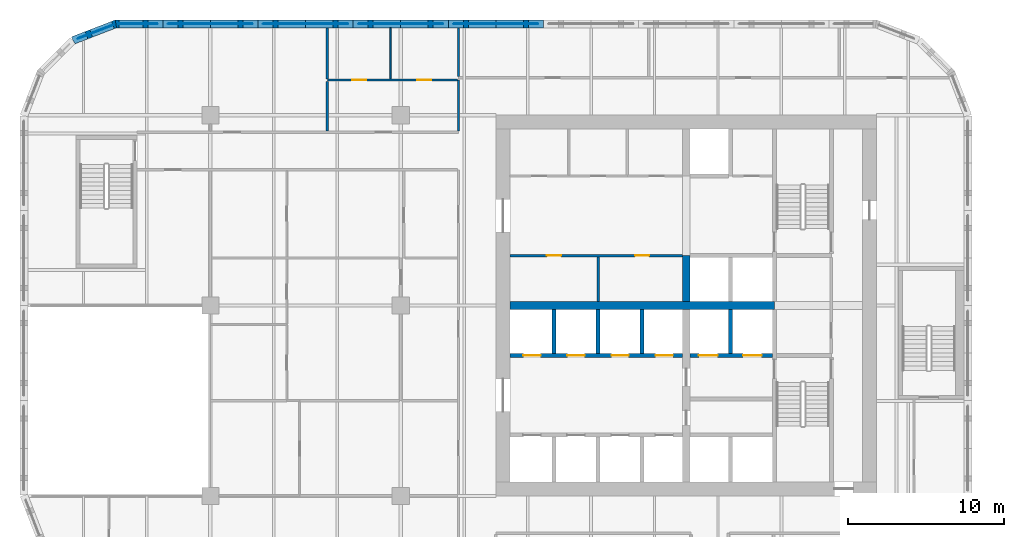
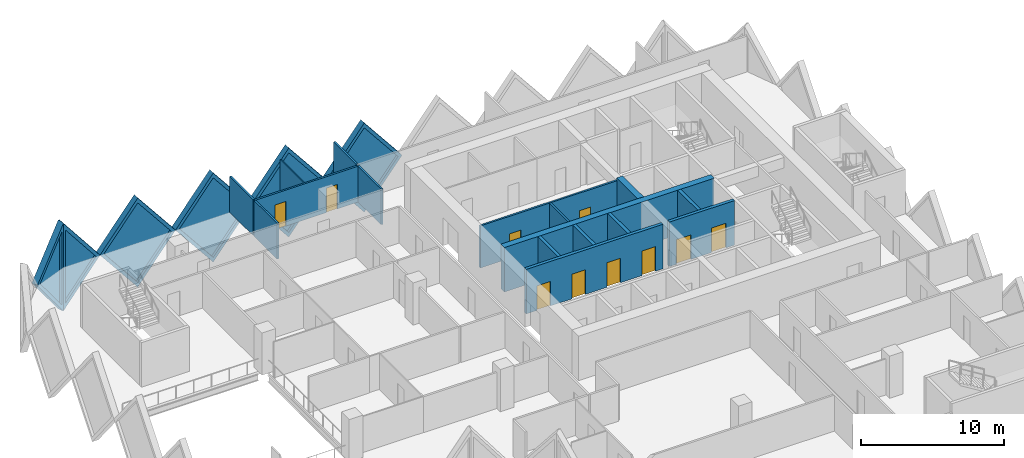
# One storey, part 9 of 19: 22 walls, 10 doors, 6 plates, 16 openings.
"""IFC4 building model written with IfcOpenShell, lengths in metres."""

from ifc_helpers import new_model, si_unit, direction, frame, frame_2d, origin, place, context, subcontext, project, spatial, polyline, rectangle, outline, extrude, faceted_brep, source, transform, mapped, material, layer, layer_set, type_object, element, fill, save


model = new_model("IFC4")

# Units and contexts
model_context = context("Model", 3, precision=1e-05, world=origin(), true_north=direction((0.0, 1.0)))
body_context = subcontext(model_context, "Body", "Model", "MODEL_VIEW")
ifc_project = project(units=[si_unit("LENGTHUNIT", "METRE"), si_unit("AREAUNIT", "SQUARE_METRE"), si_unit("VOLUMEUNIT", "CUBIC_METRE"), si_unit("PLANEANGLEUNIT", "RADIAN"), si_unit("MASSUNIT", "GRAM", prefix="KILO")], contexts=[model_context])

# Site, building, storey
site_placement = place(None, origin())
site = spatial("IfcSite", under=ifc_project, at=site_placement, CompositionType="ELEMENT")
building_placement = place(site_placement, origin())
building = spatial("IfcBuilding", under=site, at=building_placement, Name="Tessera Gate Towers", CompositionType="ELEMENT")
storey_placement = place(building_placement, frame((0.0, 0.0, 33.39990234375)))
storey = spatial("IfcBuildingStorey", under=building, at=storey_placement, Name="L07", CompositionType="ELEMENT", Elevation=33.39990234375)

# Wall, openings, doors
ifc_material_1 = material(Name="Concrete C40/50", Category="concrete")
ifc_layer_1 = layer(ifc_material_1, 0.25)
ifc_layer_set_1 = layer_set([ifc_layer_1], Name="CORE ENCLOSURE WALL 250")
wall_type_1 = type_object("IfcWallType", Name="CORE ENCLOSURE WALL 250", PredefinedType="SOLIDWALL", material=ifc_layer_set_1)
wall_1_placement = place(storey_placement, frame((42.449951171875, 33.39990234375, 0.0), z_axis=(0.0, 0.0, 1.0), x_axis=(-1.0, 0.0, 0.0)))
wall_1 = element("IfcWall", 1, at=wall_1_placement, inside=storey, type_object=wall_type_1, Name="L07 shaft and stair enclosure wall", PredefinedType="SOLIDWALL", context=body_context, shape_type="SweptSolid", body=[
    extrude(rectangle(XDim=11.050048828125, YDim=0.25, at=frame_2d((5.52490234375, 0.0))), origin(), (0.0, 0.0, 1.0), 3.800048828125),
])
shared_shape_1 = source(origin(), body_context, "Body", "SweptSolid", [
    extrude(rectangle(XDim=1.10009765625, YDim=2.10009765625, at=frame_2d((0.550048828125, 1.050048828125))), frame((0.0, 0.135009765625, 0.0), z_axis=(0.0, -1.0, 0.0), x_axis=(1.0, 0.0, 0.0)), (0.0, 0.0, 1.0), 0.27001953125),
])
opening_1_placement = place(wall_1_placement, frame((9.08740234375, 0.0, 0.0)))
opening_1 = element("IfcOpeningElement", 2, at=opening_1_placement, cuts=wall_1, Name="Opening LD-LR5", PredefinedType="OPENING", context=body_context, shape_type="MappedRepresentation", body=[
    mapped(shared_shape_1, transform((0.0, 0.0, 0.0), scale=1.0)),
])
opening_2_placement = place(wall_1_placement, frame((6.262451171875, 0.0, 0.0)))
opening_2 = element("IfcOpeningElement", 3, at=opening_2_placement, cuts=wall_1, Name="Opening LD-LR6", PredefinedType="OPENING", context=body_context, shape_type="MappedRepresentation", body=[
    mapped(shared_shape_1, transform((0.0, 0.0, 0.0), scale=1.0)),
])
opening_3_placement = place(wall_1_placement, frame((3.4375, 0.0, 0.0)))
opening_3 = element("IfcOpeningElement", 4, at=opening_3_placement, cuts=wall_1, Name="Opening LD-LR7", PredefinedType="OPENING", context=body_context, shape_type="MappedRepresentation", body=[
    mapped(shared_shape_1, transform((0.0, 0.0, 0.0), scale=1.0)),
])
opening_4_placement = place(wall_1_placement, frame((0.612548828125, 0.0, 0.0)))
opening_4 = element("IfcOpeningElement", 5, at=opening_4_placement, cuts=wall_1, Name="Opening LD-LR8", PredefinedType="OPENING", context=body_context, shape_type="MappedRepresentation", body=[
    mapped(shared_shape_1, transform((0.0, 0.0, 0.0), scale=1.0)),
])
ifc_material_2 = material(Name="Stainless steel", Category="steel")
door_type_1 = type_object("IfcDoorType", Name="CORE DOOR LD 1100x2100", OperationType="DOUBLE_DOOR_SLIDING", PredefinedType="DOOR", material=ifc_material_2)
shared_shape_2 = source(origin(), body_context, "Body", "SweptSolid", [
    extrude(rectangle(XDim=1.10009765625, YDim=2.10009765625, at=frame_2d((0.550048828125, 1.050048828125))), frame((0.0, 0.02490234375, 0.0), z_axis=(0.0, -1.0, 0.0), x_axis=(1.0, 0.0, 0.0)), (0.0, 0.0, 1.0), 0.050048828125),
])
door_1_placement = place(opening_1_placement, origin())
door_1 = element("IfcDoor", 6, at=door_1_placement, inside=storey, type_object=door_type_1, Name="Landing door LR5 L07", OperationType="DOUBLE_DOOR_SLIDING", OverallHeight=2.10009765625, OverallWidth=1.10009765625, PredefinedType="DOOR", context=body_context, shape_type="MappedRepresentation", body=[
    mapped(shared_shape_2, transform((0.0, 0.0, 0.0), scale=1.0)),
])
fill(opening_1, door_1)
door_2_placement = place(opening_2_placement, origin())
door_2 = element("IfcDoor", 7, at=door_2_placement, inside=storey, type_object=door_type_1, Name="Landing door LR6 L07", OperationType="DOUBLE_DOOR_SLIDING", OverallHeight=2.10009765625, OverallWidth=1.10009765625, PredefinedType="DOOR", context=body_context, shape_type="MappedRepresentation", body=[
    mapped(shared_shape_2, transform((0.0, 0.0, 0.0), scale=1.0)),
])
fill(opening_2, door_2)
door_3_placement = place(opening_3_placement, origin())
door_3 = element("IfcDoor", 8, at=door_3_placement, inside=storey, type_object=door_type_1, Name="Landing door LR7 L07", OperationType="DOUBLE_DOOR_SLIDING", OverallHeight=2.10009765625, OverallWidth=1.10009765625, PredefinedType="DOOR", context=body_context, shape_type="MappedRepresentation", body=[
    mapped(shared_shape_2, transform((0.0, 0.0, 0.0), scale=1.0)),
])
fill(opening_3, door_3)
door_4_placement = place(opening_4_placement, origin())
door_4 = element("IfcDoor", 9, at=door_4_placement, inside=storey, type_object=door_type_1, Name="Landing door LR8 L07", OperationType="DOUBLE_DOOR_SLIDING", OverallHeight=2.10009765625, OverallWidth=1.10009765625, PredefinedType="DOOR", context=body_context, shape_type="MappedRepresentation", body=[
    mapped(shared_shape_2, transform((0.0, 0.0, 0.0), scale=1.0)),
])
fill(opening_4, door_4)

wall_2_placement = place(storey_placement, frame((48.22509765625, 33.39990234375, 0.0), z_axis=(0.0, 0.0, 1.0), x_axis=(-1.0, 0.0, 0.0)))
wall_2 = element("IfcWall", 10, at=wall_2_placement, inside=storey, type_object=wall_type_1, Name="L07 shaft and stair enclosure wall", PredefinedType="SOLIDWALL", context=body_context, shape_type="SweptSolid", body=[
    extrude(rectangle(XDim=5.275146484375, YDim=0.25, at=frame_2d((2.6376953125, 0.0))), origin(), (0.0, 0.0, 1.0), 3.800048828125),
])
shared_shape_3 = source(origin(), body_context, "Body", "SweptSolid", [
    extrude(rectangle(XDim=1.199951171875, YDim=2.10009765625, at=frame_2d((0.60009765625, 1.050048828125))), frame((0.0, 0.135009765625, 0.0), z_axis=(0.0, -1.0, 0.0), x_axis=(1.0, 0.0, 0.0)), (0.0, 0.0, 1.0), 0.27001953125),
])
opening_5_placement = place(wall_2_placement, frame((3.512451171875, 0.0, 0.0)))
opening_5 = element("IfcOpeningElement", 11, at=opening_5_placement, cuts=wall_2, Name="Opening LD-FF1", PredefinedType="OPENING", context=body_context, shape_type="MappedRepresentation", body=[
    mapped(shared_shape_3, transform((0.0, 0.0, 0.0), scale=1.0)),
])
opening_6_placement = place(wall_2_placement, frame((0.6875, 0.0, 0.0)))
opening_6 = element("IfcOpeningElement", 12, at=opening_6_placement, cuts=wall_2, Name="Opening LD-FF2", PredefinedType="OPENING", context=body_context, shape_type="MappedRepresentation", body=[
    mapped(shared_shape_3, transform((0.0, 0.0, 0.0), scale=1.0)),
])
ifc_material_3 = material(Name="Stainless steel", Category="steel")
door_type_2 = type_object("IfcDoorType", Name="CORE DOOR LD1200 1200x2100", OperationType="DOUBLE_DOOR_SLIDING", PredefinedType="DOOR", material=ifc_material_3)
shared_shape_4 = source(origin(), body_context, "Body", "SweptSolid", [
    extrude(rectangle(XDim=1.199951171875, YDim=2.10009765625, at=frame_2d((0.60009765625, 1.050048828125))), frame((0.0, 0.02490234375, 0.0), z_axis=(0.0, -1.0, 0.0), x_axis=(1.0, 0.0, 0.0)), (0.0, 0.0, 1.0), 0.050048828125),
])
door_5_placement = place(opening_5_placement, origin())
door_5 = element("IfcDoor", 13, at=door_5_placement, inside=storey, type_object=door_type_2, Name="Landing door FF1 L07", OperationType="DOUBLE_DOOR_SLIDING", OverallHeight=2.10009765625, OverallWidth=1.199951171875, PredefinedType="DOOR", context=body_context, shape_type="MappedRepresentation", body=[
    mapped(shared_shape_4, transform((0.0, 0.0, 0.0), scale=1.0)),
])
fill(opening_5, door_5)
door_6_placement = place(opening_6_placement, origin())
door_6 = element("IfcDoor", 14, at=door_6_placement, inside=storey, type_object=door_type_2, Name="Landing door FF2 L07", OperationType="DOUBLE_DOOR_SLIDING", OverallHeight=2.10009765625, OverallWidth=1.199951171875, PredefinedType="DOOR", context=body_context, shape_type="MappedRepresentation", body=[
    mapped(shared_shape_4, transform((0.0, 0.0, 0.0), scale=1.0)),
])
fill(opening_6, door_6)

# Walls
for number, where, z_axis, x_axis, name in (
    (15, (45.52490234375, 33.52490234375, 0.0), (0.0, 0.0, 1.0), (0.0, 1.0, 0.0), "L07 shaft and stair enclosure wall"),
    (16, (34.22509765625, 33.52490234375, 0.0), (0.0, 0.0, 1.0), (0.0, 1.0, 0.0), "L07 shaft and stair enclosure wall"),
    (17, (37.050048828125, 33.52490234375, 0.0), (0.0, 0.0, 1.0), (0.0, 1.0, 0.0), "L07 shaft and stair enclosure wall"),
    (18, (39.875, 33.52490234375, 0.0), (0.0, 0.0, 1.0), (0.0, 1.0, 0.0), "L07 shaft and stair enclosure wall"),
):
    element("IfcWall", number, at=place(storey_placement, frame(where, z_axis=z_axis, x_axis=x_axis)), inside=storey, type_object=wall_type_1, Name=name, PredefinedType="SOLIDWALL", context=body_context, shape_type="SweptSolid", body=[
        extrude(rectangle(XDim=2.8251953125, YDim=0.25, at=frame_2d((1.41259765625, 0.0))), origin(), (0.0, 0.0, 1.0), 3.800048828125),
    ])
ifc_material_4 = material(Name="Concrete C70/85", Category="concrete")
ifc_layer_2 = layer(ifc_material_4, 0.5)
ifc_layer_set_2 = layer_set([ifc_layer_2], Name="CORE SPINE WALL 500 C70/85")
wall_type_2 = type_object("IfcWallType", Name="CORE SPINE WALL 500 C70/85", PredefinedType="SHEAR", material=ifc_layer_set_2)
wall_3_placement = place(storey_placement, frame((31.39990234375, 36.60009765625, 0.0), z_axis=(0.0, 0.0, 1.0), x_axis=(1.0, 0.0, 0.0)))
element("IfcWall", 19, at=wall_3_placement, inside=storey, type_object=wall_type_2, Name="Core wall spine L07", PredefinedType="SHEAR", context=body_context, shape_type="SweptSolid", body=[
    extrude(rectangle(XDim=16.9501953125, YDim=0.5, at=frame_2d((8.47509765625, 0.0))), origin(), (0.0, 0.0, 1.0), 3.800048828125),
])
wall_4_placement = place(storey_placement, frame((42.699951171875, 36.85009765625, 0.0), z_axis=(0.0, 0.0, 1.0), x_axis=(0.0, 1.0, 0.0)))
element("IfcWall", 20, at=wall_4_placement, inside=storey, type_object=wall_type_2, Name="Core wall spine L07", PredefinedType="SHEAR", context=body_context, shape_type="SweptSolid", body=[
    extrude(rectangle(XDim=2.949951171875, YDim=0.5, at=frame_2d((1.47509765625, 0.0))), origin(), (0.0, 0.0, 1.0), 3.800048828125),
])
ifc_material_5 = material(Name="Gypsum board on steel studs, mineral wool", Category="steel")
ifc_layer_3 = layer(ifc_material_5, 0.14990234375)
ifc_layer_set_3 = layer_set([ifc_layer_3], Name="CORRIDOR WALL 150")
wall_type_3 = type_object("IfcWallType", Name="CORRIDOR WALL 150", PredefinedType="PARTITIONING", material=ifc_layer_set_3)
wall_5_placement = place(storey_placement, frame((28.10009765625, 47.77587890625, 0.0), z_axis=(0.0, 0.0, 1.0), x_axis=(0.0, 1.0, 0.0)))
element("IfcWall", 21, at=wall_5_placement, inside=storey, type_object=wall_type_3, Name="T1-L07-PW-049", PredefinedType="PARTITIONING", context=body_context, shape_type="SweptSolid", body=[
    extrude(rectangle(XDim=3.274169921875, YDim=0.14990234375, at=frame_2d((1.63720703125, 0.0))), origin(), (0.0, 0.0, 1.0), 3.067138671875),
])
ifc_material_6 = material(Name="Gypsum board on steel studs", Category="steel")
ifc_layer_4 = layer(ifc_material_6, 0.10009765625)
ifc_layer_set_4 = layer_set([ifc_layer_4], Name="PARTITION 100")
wall_type_4 = type_object("IfcWallType", Name="PARTITION 100", PredefinedType="PARTITIONING", material=ifc_layer_set_4)
wall_6_placement = place(storey_placement, frame((23.758056640625, 51.1259765625, 0.0), z_axis=(0.0, 0.0, 1.0), x_axis=(0.0, 1.0, 0.0)))
element("IfcWall", 22, at=wall_6_placement, inside=storey, type_object=wall_type_4, Name="T1-L07-PW-053", PredefinedType="PARTITIONING", context=body_context, shape_type="SweptSolid", body=[
    extrude(rectangle(XDim=3.27392578125, YDim=0.10009765625, at=frame_2d((1.636962890625, 0.0))), origin(), (0.0, 0.0, 1.0), 3.067138671875),
])

# Wall, openings, doors
ifc_material_7 = material(Name="Gypsum board on steel studs", Category="steel")
ifc_layer_5 = layer(ifc_material_7, 0.14990234375)
ifc_layer_set_5 = layer_set([ifc_layer_5], Name="SERVICE ROOM WALL 150")
wall_type_5 = type_object("IfcWallType", Name="SERVICE ROOM WALL 150", PredefinedType="PARTITIONING", material=ifc_layer_set_5)
wall_7_placement = place(storey_placement, frame((42.449951171875, 39.800048828125, 0.0), z_axis=(0.0, 0.0, 1.0), x_axis=(-1.0, 0.0, 0.0)))
wall_7 = element("IfcWall", 23, at=wall_7_placement, inside=storey, type_object=wall_type_5, Name="L07 service room wall", PredefinedType="PARTITIONING", context=body_context, shape_type="SweptSolid", body=[
    extrude(rectangle(XDim=11.050048828125, YDim=0.14990234375, at=frame_2d((5.52490234375, 0.0))), origin(), (0.0, 0.0, 1.0), 3.60009765625),
])
shared_shape_5 = source(origin(), body_context, "Body", "SweptSolid", [
    extrude(rectangle(XDim=0.89990234375, YDim=2.10009765625, at=frame_2d((0.449951171875, 1.050048828125))), frame((0.0, 0.0849609375, 0.0), z_axis=(0.0, -1.0, 0.0), x_axis=(1.0, 0.0, 0.0)), (0.0, 0.0, 1.0), 0.169921875),
])
opening_7_placement = place(wall_7_placement, frame((7.77490234375, 0.0, 0.0)))
opening_7 = element("IfcOpeningElement", 24, at=opening_7_placement, cuts=wall_7, Name="Opening RD-T1-07-07", PredefinedType="OPENING", context=body_context, shape_type="MappedRepresentation", body=[
    mapped(shared_shape_5, transform((0.0, 0.0, 0.0), scale=1.0)),
])
opening_8_placement = place(wall_7_placement, frame((2.125, 0.0, 0.0)))
opening_8 = element("IfcOpeningElement", 25, at=opening_8_placement, cuts=wall_7, Name="Opening RD-T1-07-08", PredefinedType="OPENING", context=body_context, shape_type="MappedRepresentation", body=[
    mapped(shared_shape_5, transform((0.0, 0.0, 0.0), scale=1.0)),
])
ifc_material_8 = material(Name="Hollow steel fire door", Category="steel")
door_type_3 = type_object("IfcDoorType", Name="CORE DOOR RD 900x2100", OperationType="NOTDEFINED", PredefinedType="DOOR", material=ifc_material_8)
shared_shape_6 = source(origin(), body_context, "Body", "SweptSolid", [
    extrude(rectangle(XDim=0.89990234375, YDim=2.10009765625, at=frame_2d((0.449951171875, 1.050048828125))), frame((0.0, 0.02490234375, 0.0), z_axis=(0.0, -1.0, 0.0), x_axis=(1.0, 0.0, 0.0)), (0.0, 0.0, 1.0), 0.050048828125),
])
door_7_placement = place(opening_7_placement, origin())
door_7 = element("IfcDoor", 26, at=door_7_placement, inside=storey, type_object=door_type_3, Name="Core room door", OperationType="SINGLE_SWING_RIGHT", OverallHeight=2.10009765625, OverallWidth=0.89990234375, PredefinedType="DOOR", context=body_context, shape_type="MappedRepresentation", body=[
    mapped(shared_shape_6, transform((0.0, 0.0, 0.0), scale=1.0)),
])
fill(opening_7, door_7)
door_8_placement = place(opening_8_placement, origin())
door_8 = element("IfcDoor", 27, at=door_8_placement, inside=storey, type_object=door_type_3, Name="Core room door", OperationType="SINGLE_SWING_LEFT", OverallHeight=2.10009765625, OverallWidth=0.89990234375, PredefinedType="DOOR", context=body_context, shape_type="MappedRepresentation", body=[
    mapped(shared_shape_6, transform((0.0, 0.0, 0.0), scale=1.0)),
])
fill(opening_8, door_8)

# Walls
wall_8_placement = place(storey_placement, frame((37.050048828125, 36.85009765625, 0.0), z_axis=(0.0, 0.0, 1.0), x_axis=(0.0, 1.0, 0.0)))
element("IfcWall", 28, at=wall_8_placement, inside=storey, type_object=wall_type_5, Name="L07 service room wall", PredefinedType="PARTITIONING", context=body_context, shape_type="SweptSolid", body=[
    extrude(rectangle(XDim=2.875, YDim=0.14990234375, at=frame_2d((1.4375, 0.0))), origin(), (0.0, 0.0, 1.0), 3.60009765625),
])
ifc_material_9 = material(Name="Gypsum board on steel studs, mineral wool", Category="steel")
ifc_layer_6 = layer(ifc_material_9, 0.14990234375)
ifc_layer_set_6 = layer_set([ifc_layer_6], Name="TENANCY WALL 150")
wall_type_6 = type_object("IfcWallType", Name="TENANCY WALL 150", PredefinedType="PARTITIONING", material=ifc_layer_set_6)
wall_9_placement = place(storey_placement, frame((19.699951171875, 47.77587890625, 0.0), z_axis=(0.0, 0.0, 1.0), x_axis=(0.0, 1.0, 0.0)))
element("IfcWall", 29, at=wall_9_placement, inside=storey, type_object=wall_type_6, Name="T1-L07-PW-048", PredefinedType="PARTITIONING", context=body_context, shape_type="SweptSolid", body=[
    extrude(rectangle(XDim=3.1982421875, YDim=0.14990234375, at=frame_2d((1.59912109375, 0.0))), origin(), (0.0, 0.0, 1.0), 3.067138671875),
])

# Wall, openings, doors
wall_10_placement = place(storey_placement, frame((19.699951171875, 51.050048828125, 0.0), z_axis=(0.0, 0.0, 1.0), x_axis=(1.0, 0.0, 0.0)))
wall_10 = element("IfcWall", 30, at=wall_10_placement, inside=storey, type_object=wall_type_6, Name="T1-L07-PW-051", PredefinedType="PARTITIONING", context=body_context, shape_type="SweptSolid", body=[
    extrude(rectangle(XDim=8.323974609375, YDim=0.14990234375, at=frame_2d((4.162109375, 0.0))), origin(), (0.0, 0.0, 1.0), 3.067138671875),
])
opening_9_placement = place(wall_10_placement, frame((1.60009765625, 0.0, 0.0)))
opening_9 = element("IfcOpeningElement", 31, at=opening_9_placement, cuts=wall_10, Name="Opening D190-A02-01", PredefinedType="OPENING", context=body_context, shape_type="MappedRepresentation", body=[
    mapped(shared_shape_5, transform((0.0, 0.0, 0.0), scale=1.0)),
])
opening_10_placement = place(wall_10_placement, frame((5.758056640625, 0.0, 0.0)))
opening_10 = element("IfcOpeningElement", 32, at=opening_10_placement, cuts=wall_10, Name="Opening D190-A02-04", PredefinedType="OPENING", context=body_context, shape_type="MappedRepresentation", body=[
    mapped(shared_shape_5, transform((0.0, 0.0, 0.0), scale=1.0)),
])
ifc_material_10 = material(Name="Timber door leaf in steel frame", Category="steel")
door_type_4 = type_object("IfcDoorType", Name="INTERNAL DOOR 900 NOT RATED", OperationType="NOTDEFINED", PredefinedType="DOOR", material=ifc_material_10)
door_9_placement = place(opening_9_placement, origin())
door_9 = element("IfcDoor", 33, at=door_9_placement, inside=storey, type_object=door_type_4, Name="T1-L07-PD-002", OperationType="SINGLE_SWING_LEFT", OverallHeight=2.10009765625, OverallWidth=0.89990234375, PredefinedType="DOOR", context=body_context, shape_type="MappedRepresentation", body=[
    mapped(shared_shape_6, transform((0.0, 0.0, 0.0), scale=1.0)),
])
fill(opening_9, door_9)
door_10_placement = place(opening_10_placement, origin())
door_10 = element("IfcDoor", 34, at=door_10_placement, inside=storey, type_object=door_type_4, Name="T1-L07-PD-005", OperationType="SINGLE_SWING_LEFT", OverallHeight=2.10009765625, OverallWidth=0.89990234375, PredefinedType="DOOR", context=body_context, shape_type="MappedRepresentation", body=[
    mapped(shared_shape_6, transform((0.0, 0.0, 0.0), scale=1.0)),
])
fill(opening_10, door_10)

# Walls
wall_11_placement = place(storey_placement, frame((19.699951171875, 51.1259765625, 0.0), z_axis=(0.0, 0.0, 1.0), x_axis=(0.0, 1.0, 0.0)))
element("IfcWall", 35, at=wall_11_placement, inside=storey, type_object=wall_type_6, Name="T1-L07-PW-052", PredefinedType="PARTITIONING", context=body_context, shape_type="SweptSolid", body=[
    extrude(rectangle(XDim=3.27392578125, YDim=0.14990234375, at=frame_2d((1.636962890625, 0.0))), origin(), (0.0, 0.0, 1.0), 3.067138671875),
])
wall_12_placement = place(storey_placement, frame((28.10009765625, 51.27587890625, 0.0), z_axis=(0.0, 0.0, 1.0), x_axis=(0.0, 1.0, 0.0)))
element("IfcWall", 36, at=wall_12_placement, inside=storey, type_object=wall_type_6, Name="T1-L07-PW-055", PredefinedType="PARTITIONING", context=body_context, shape_type="SweptSolid", body=[
    extrude(rectangle(XDim=3.1240234375, YDim=0.14990234375, at=frame_2d((1.56201171875, 0.0))), origin(), (0.0, 0.0, 1.0), 3.067138671875),
])

# Wall, opening, plate
ifc_material_11 = material(Name="Precast concrete C60/75 white", Category="concrete")
ifc_layer_7 = layer(ifc_material_11, 0.5)
ifc_layer_set_7 = layer_set([ifc_layer_7], Name="TS1 tessera")
wall_type_7 = type_object("IfcWallType", Name="TS1 tessera", PredefinedType="SOLIDWALL", material=ifc_layer_set_7)
shared_shape_7 = source(origin(), body_context, "Body", "Brep", [
    faceted_brep([(3.050048828125, -0.25, 0.0), (6.099853515625, -0.25, 3.799560546875), (6.099853515625, -0.25, 3.800048828125), (3.050048828125, -0.25, 7.599853515625), (0.0, -0.25, 3.7998046875), (0.0, 0.25, 3.7998046875), (3.050048828125, 0.25, 7.599853515625), (6.099853515625, 0.25, 3.800048828125), (6.099853515625, 0.25, 3.799560546875), (3.050048828125, 0.25, 0.0)], [[[0, 1, 2, 3, 4]], [[5, 6, 7, 8, 9]], [[9, 8, 1, 0]], [[7, 6, 3, 2]], [[6, 5, 4, 3]], [[5, 9, 0, 4]], [[1, 8, 7, 2]]]),
])
wall_13_placement = place(storey_placement, frame((27.449951171875, 54.64990234375, -3.7998046875), z_axis=(0.0, 0.0, 1.0), x_axis=(-1.0, 0.0, 0.0)))
wall_13 = element("IfcWall", 37, at=wall_13_placement, inside=storey, type_object=wall_type_7, Name="Precast tessera T1 TS1-0060", PredefinedType="SOLIDWALL", context=body_context, shape_type="MappedRepresentation", body=[
    mapped(shared_shape_7, transform((0.0, 0.0, 0.0), scale=1.0)),
])
shared_shape_8 = source(origin(), body_context, "Body", "SweptSolid", [
    extrude(outline(polyline([(3.050048828125, 0.3994140625), (5.779541015625, 3.7998046875), (3.050048828125, 7.200439453125), (0.320556640625, 3.7998046875), (3.050048828125, 0.3994140625)])), frame((0.0, 0.260009765625, 0.0), z_axis=(0.0, -1.0, 0.0), x_axis=(1.0, 0.0, 0.0)), (0.0, 0.0, 1.0), 0.52001953125),
])
opening_11_placement = place(wall_13_placement, origin())
opening_11 = element("IfcOpeningElement", 38, at=opening_11_placement, cuts=wall_13, Name="Opening T1-PL2-0118", PredefinedType="OPENING", context=body_context, shape_type="MappedRepresentation", body=[
    mapped(shared_shape_8, transform((0.0, 0.0, 0.0), scale=1.0)),
])
ifc_material_12 = material(Name="Low-e laminated glass", Category="glass")
ifc_layer_8 = layer(ifc_material_12, 0.06005859375)
ifc_layer_set_8 = layer_set([ifc_layer_8], Name="PL2 rhombic pane")
plate_type = type_object("IfcPlateType", Name="PL2 rhombic pane", PredefinedType="SHEET", material=ifc_layer_set_8)
shared_shape_9 = source(origin(), body_context, "Body", "SweptSolid", [
    extrude(outline(polyline([(3.050048828125, 0.3994140625), (5.779541015625, 3.7998046875), (3.050048828125, 7.200439453125), (0.320556640625, 3.7998046875), (3.050048828125, 0.3994140625)])), frame((0.0, 0.030029296875, 0.0), z_axis=(0.0, -1.0, 0.0), x_axis=(1.0, 0.0, 0.0)), (0.0, 0.0, 1.0), 0.06005859375),
])
plate_1_placement = place(opening_11_placement, origin())
plate_1 = element("IfcPlate", 39, at=plate_1_placement, inside=storey, type_object=plate_type, Name="Glass pane T1 PL2-0118", PredefinedType="SHEET", context=body_context, shape_type="MappedRepresentation", body=[
    mapped(shared_shape_9, transform((0.0, 0.0, 0.0), scale=1.0)),
])
fill(opening_11, plate_1)

shared_shape_10 = source(origin(), body_context, "Body", "SweptSolid", [
    extrude(outline(polyline([(3.050048828125, 0.0), (6.10009765625, 3.7998046875), (3.050048828125, 7.599853515625), (0.0, 3.7998046875), (3.050048828125, 0.0)])), frame((0.0, 0.25, 0.0), z_axis=(0.0, -1.0, 0.0), x_axis=(1.0, 0.0, 0.0)), (0.0, 0.0, 1.0), 0.5),
])
wall_14_placement = place(storey_placement, frame((33.550048828125, 54.64990234375, -3.7998046875), z_axis=(0.0, 0.0, 1.0), x_axis=(-1.0, 0.0, 0.0)))
wall_14 = element("IfcWall", 40, at=wall_14_placement, inside=storey, type_object=wall_type_7, Name="Precast tessera T1 TS1-0059", PredefinedType="SOLIDWALL", context=body_context, shape_type="MappedRepresentation", body=[
    mapped(shared_shape_10, transform((0.0, 0.0, 0.0), scale=1.0)),
])
opening_12_placement = place(wall_14_placement, origin())
opening_12 = element("IfcOpeningElement", 41, at=opening_12_placement, cuts=wall_14, Name="Opening T1-PL2-0117", PredefinedType="OPENING", context=body_context, shape_type="MappedRepresentation", body=[
    mapped(shared_shape_8, transform((0.0, 0.0, 0.0), scale=1.0)),
])
plate_2_placement = place(opening_12_placement, origin())
plate_2 = element("IfcPlate", 42, at=plate_2_placement, inside=storey, type_object=plate_type, Name="Glass pane T1 PL2-0117", PredefinedType="SHEET", context=body_context, shape_type="MappedRepresentation", body=[
    mapped(shared_shape_9, transform((0.0, 0.0, 0.0), scale=1.0)),
])
fill(opening_12, plate_2)

wall_15_placement = place(storey_placement, frame((21.35009765625, 54.64990234375, -3.7998046875), z_axis=(0.0, 0.0, 1.0), x_axis=(-1.0, 0.0, 0.0)))
wall_15 = element("IfcWall", 43, at=wall_15_placement, inside=storey, type_object=wall_type_7, Name="Precast tessera T1 TS1-0061", PredefinedType="SOLIDWALL", context=body_context, shape_type="MappedRepresentation", body=[
    mapped(shared_shape_10, transform((0.0, 0.0, 0.0), scale=1.0)),
])
opening_13_placement = place(wall_15_placement, origin())
opening_13 = element("IfcOpeningElement", 44, at=opening_13_placement, cuts=wall_15, Name="Opening T1-PL2-0119", PredefinedType="OPENING", context=body_context, shape_type="MappedRepresentation", body=[
    mapped(shared_shape_8, transform((0.0, 0.0, 0.0), scale=1.0)),
])
plate_3_placement = place(opening_13_placement, origin())
plate_3 = element("IfcPlate", 45, at=plate_3_placement, inside=storey, type_object=plate_type, Name="Glass pane T1 PL2-0119", PredefinedType="SHEET", context=body_context, shape_type="MappedRepresentation", body=[
    mapped(shared_shape_9, transform((0.0, 0.0, 0.0), scale=1.0)),
])
fill(opening_13, plate_3)

wall_16_placement = place(storey_placement, frame((15.25, 54.64990234375, -3.7998046875), z_axis=(0.0, 0.0, 1.0), x_axis=(-1.0, 0.0, 0.0)))
wall_16 = element("IfcWall", 46, at=wall_16_placement, inside=storey, type_object=wall_type_7, Name="Precast tessera T1 TS1-0062", PredefinedType="SOLIDWALL", context=body_context, shape_type="MappedRepresentation", body=[
    mapped(shared_shape_10, transform((0.0, 0.0, 0.0), scale=1.0)),
])
opening_14_placement = place(wall_16_placement, origin())
opening_14 = element("IfcOpeningElement", 47, at=opening_14_placement, cuts=wall_16, Name="Opening T1-PL2-0120", PredefinedType="OPENING", context=body_context, shape_type="MappedRepresentation", body=[
    mapped(shared_shape_8, transform((0.0, 0.0, 0.0), scale=1.0)),
])
plate_4_placement = place(opening_14_placement, origin())
plate_4 = element("IfcPlate", 48, at=plate_4_placement, inside=storey, type_object=plate_type, Name="Glass pane T1 PL2-0120", PredefinedType="SHEET", context=body_context, shape_type="MappedRepresentation", body=[
    mapped(shared_shape_9, transform((0.0, 0.0, 0.0), scale=1.0)),
])
fill(opening_14, plate_4)

ifc_material_13 = material(Name="Precast concrete C60/75 white", Category="concrete")
ifc_layer_9 = layer(ifc_material_13, 0.5)
ifc_layer_set_9 = layer_set([ifc_layer_9], Name="TS3 corner tessera")
wall_type_8 = type_object("IfcWallType", Name="TS3 corner tessera", PredefinedType="SOLIDWALL", material=ifc_layer_set_9)
shared_shape_11 = source(origin(), body_context, "Body", "Brep", [
    faceted_brep([(3.00341796875, -0.25, 0.0), (3.050048828125, -0.25, 0.06005859375), (3.050048828125, -0.25, 7.539794921875), (3.00341796875, -0.25, 7.599853515625), (0.0, -0.25, 3.7998046875), (0.0, 0.25, 3.7998046875), (2.956787109375, 0.25, 7.541015625), (2.956787109375, 0.25, 0.058837890625), (3.00341796875, 0.000244140625, 0.0), (3.00341796875, 0.000244140625, 7.599853515625)], [[[0, 1, 2, 3, 4]], [[5, 6, 7]], [[1, 0, 8]], [[9, 3, 2]], [[6, 5, 4, 3, 9]], [[5, 7, 8, 0, 4]], [[1, 8, 7, 6, 9, 2]]]),
])
wall_17_placement = place(storey_placement, frame((9.14990234375, 54.64990234375, -3.7998046875), z_axis=(0.0, 0.0, 1.0), x_axis=(-1.0, 0.0, 0.0)))
wall_17 = element("IfcWall", 49, at=wall_17_placement, inside=storey, type_object=wall_type_8, Name="Precast corner tessera T1 TS3-0131", PredefinedType="SOLIDWALL", context=body_context, shape_type="MappedRepresentation", body=[
    mapped(shared_shape_11, transform((0.0, 0.0, 0.0), scale=1.0)),
])
shared_shape_12 = source(origin(), body_context, "Body", "SweptSolid", [
    extrude(outline(polyline([(2.803466796875, 6.943603515625), (0.318603515625, 3.7998046875), (2.803466796875, 0.656005859375), (2.803466796875, 6.943603515625)])), frame((0.0, 0.260009765625, 0.0), z_axis=(0.0, -1.0, 0.0), x_axis=(1.0, 0.0, 0.0)), (0.0, 0.0, 1.0), 0.52001953125),
])
opening_15_placement = place(wall_17_placement, origin())
opening_15 = element("IfcOpeningElement", 50, at=opening_15_placement, cuts=wall_17, Name="Opening T1-PL2-0121", PredefinedType="OPENING", context=body_context, shape_type="MappedRepresentation", body=[
    mapped(shared_shape_12, transform((0.0, 0.0, 0.0), scale=1.0)),
])
shared_shape_13 = source(origin(), body_context, "Body", "SweptSolid", [
    extrude(outline(polyline([(2.803466796875, 6.943603515625), (0.318603515625, 3.7998046875), (2.803466796875, 0.656005859375), (2.803466796875, 6.943603515625)])), frame((0.0, 0.030029296875, 0.0), z_axis=(0.0, -1.0, 0.0), x_axis=(1.0, 0.0, 0.0)), (0.0, 0.0, 1.0), 0.06005859375),
])
plate_5_placement = place(opening_15_placement, origin())
plate_5 = element("IfcPlate", 51, at=plate_5_placement, inside=storey, type_object=plate_type, Name="Glass pane T1 PL2-0121", PredefinedType="SHEET", context=body_context, shape_type="MappedRepresentation", body=[
    mapped(shared_shape_13, transform((0.0, 0.0, 0.0), scale=1.0)),
])
fill(opening_15, plate_5)

shared_shape_14 = source(origin(), body_context, "Body", "Brep", [
    faceted_brep([(0.046630859375, -0.25, 0.0), (2.9970703125, -0.25, 3.7998046875), (0.046630859375, -0.25, 7.599853515625), (0.0, -0.25, 7.541015625), (0.0, -0.25, 0.058837890625), (0.09326171875, 0.25, 7.539794921875), (2.9443359375, 0.25, 3.867919921875), (2.9443359375, 0.25, 3.731689453125), (0.09326171875, 0.25, 0.06005859375), (2.9970703125, 0.00048828125, 3.7998046875), (0.046630859375, 0.0, 0.0), (0.046630859375, 0.0, 7.599853515625)], [[[0, 1, 2, 3, 4]], [[5, 6, 7, 8]], [[8, 7, 9, 1, 0, 10]], [[6, 5, 11, 2, 1, 9]], [[3, 2, 11]], [[10, 0, 4]], [[8, 10, 4, 3, 11, 5]], [[9, 7, 6]]]),
])
wall_18_placement = place(storey_placement, frame((6.18994140625, 54.666748046875, -3.7998046875), z_axis=(0.0, 0.0, 1.0), x_axis=(-0.932990326376, -0.359901446078, 0.0)))
wall_18 = element("IfcWall", 52, at=wall_18_placement, inside=storey, type_object=wall_type_8, Name="Precast corner tessera T1 TS3-0132", PredefinedType="SOLIDWALL", context=body_context, shape_type="MappedRepresentation", body=[
    mapped(shared_shape_14, transform((0.0, 0.0, 0.0), scale=1.0)),
])
shared_shape_15 = source(origin(), body_context, "Body", "SweptSolid", [
    extrude(outline(polyline([(0.24658203125, 0.6650390625), (2.6806640625, 3.7998046875), (0.24658203125, 6.9345703125), (0.24658203125, 0.6650390625)])), frame((0.0, 0.260009765625, 0.0), z_axis=(0.0, -1.0, 0.0), x_axis=(1.0, 0.0, 0.0)), (0.0, 0.0, 1.0), 0.52001953125),
])
opening_16_placement = place(wall_18_placement, origin())
opening_16 = element("IfcOpeningElement", 53, at=opening_16_placement, cuts=wall_18, Name="Opening T1-PL2-0122", PredefinedType="OPENING", context=body_context, shape_type="MappedRepresentation", body=[
    mapped(shared_shape_15, transform((0.0, 0.0, 0.0), scale=1.0)),
])
shared_shape_16 = source(origin(), body_context, "Body", "SweptSolid", [
    extrude(outline(polyline([(0.24658203125, 0.6650390625), (2.6806640625, 3.7998046875), (0.24658203125, 6.9345703125), (0.24658203125, 0.6650390625)])), frame((0.0, 0.030029296875, 0.0), z_axis=(0.0, -1.0, 0.0), x_axis=(1.0, 0.0, 0.0)), (0.0, 0.0, 1.0), 0.06005859375),
])
plate_6_placement = place(opening_16_placement, origin())
plate_6 = element("IfcPlate", 54, at=plate_6_placement, inside=storey, type_object=plate_type, Name="Glass pane T1 PL2-0122", PredefinedType="SHEET", context=body_context, shape_type="MappedRepresentation", body=[
    mapped(shared_shape_16, transform((0.0, 0.0, 0.0), scale=1.0)),
])
fill(opening_16, plate_6)

save(model, "model.ifc")
